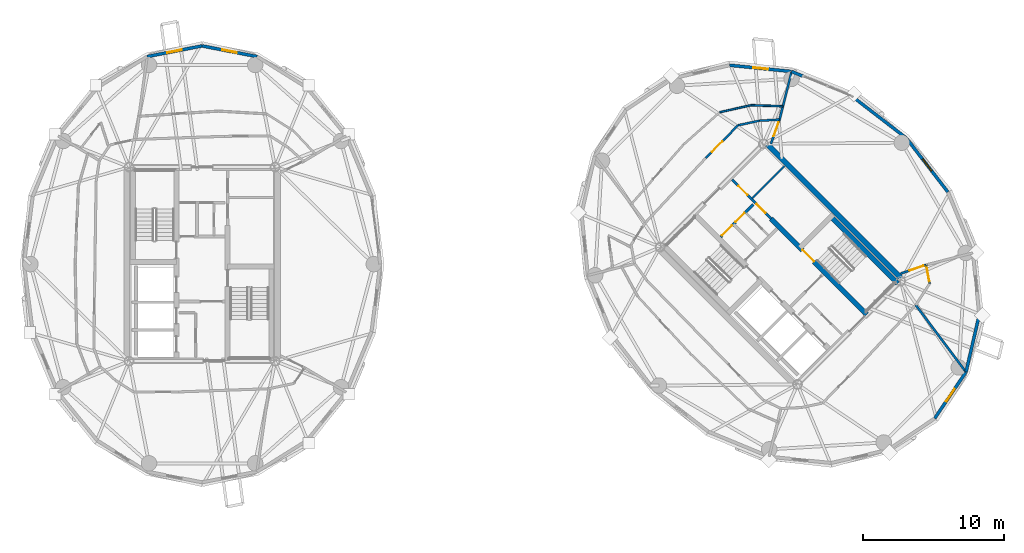
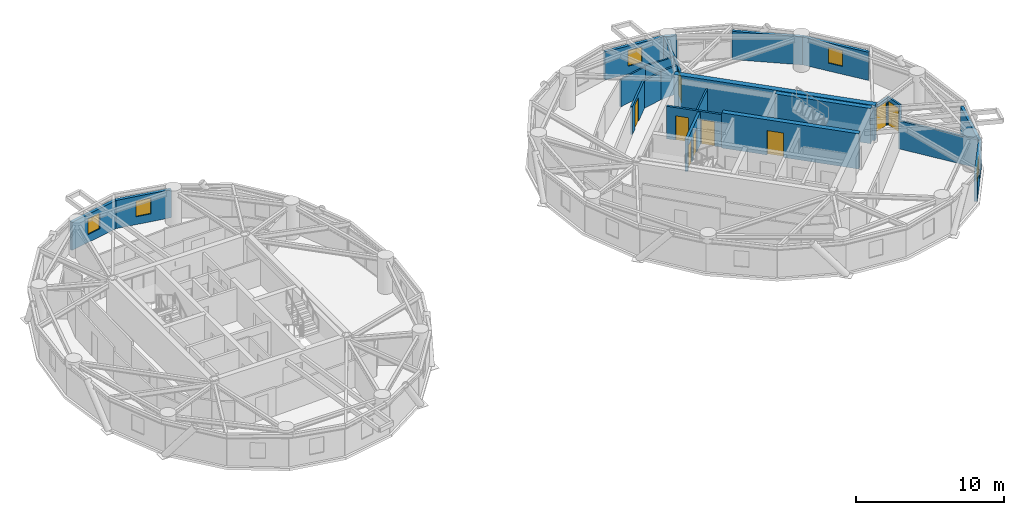
# One storey, part 13 of 16: 24 walls, 9 doors, 5 windows, 14 openings.
"""IFC4 building model written with IfcOpenShell, lengths in metres."""

from ifc_helpers import new_model, si_unit, direction, frame, frame_2d, origin, place, context, subcontext, project, spatial, rectangle, extrude, source, transform, mapped, material, layer, layer_set, type_object, element, fill, save


model = new_model("IFC4")

# Units and contexts
model_context = context("Model", 3, precision=1e-05, world=origin(), true_north=direction((0.0, 1.0)))
body_context = subcontext(model_context, "Body", "Model", "MODEL_VIEW")
ifc_project = project(units=[si_unit("LENGTHUNIT", "METRE"), si_unit("AREAUNIT", "SQUARE_METRE"), si_unit("VOLUMEUNIT", "CUBIC_METRE"), si_unit("PLANEANGLEUNIT", "RADIAN"), si_unit("MASSUNIT", "GRAM", prefix="KILO")], contexts=[model_context])

# Site, building, storey
site_placement = place(None, origin())
site = spatial("IfcSite", under=ifc_project, at=site_placement, CompositionType="ELEMENT")
building_placement = place(site_placement, origin())
building = spatial("IfcBuilding", under=site, at=building_placement, Name="Cununo Teusaquillo Station Towers", CompositionType="ELEMENT")
storey_placement = place(building_placement, frame((0.0, 0.0, 219.93994140625)))
storey = spatial("IfcBuildingStorey", under=building, at=storey_placement, Name="L70", CompositionType="ELEMENT", Elevation=219.93994140625)

# Wall, opening, door
ifc_material_1 = material(Name="Concrete C50/60", Category="concrete")
ifc_layer_1 = layer(ifc_material_1, 0.35009765625)
ifc_layer_set_1 = layer_set([ifc_layer_1], Name="Concrete C50/60")
wall_type_1 = type_object("IfcWallType", Name="WL-CORE-350", PredefinedType="SHEAR", material=ifc_layer_set_1)
wall_1_placement = place(storey_placement, frame((63.627197265625, 20.939697265625, 0.0), z_axis=(0.0, 0.0, 1.0), x_axis=(-0.707119496762, 0.707094065383, 0.0)))
wall_1 = element("IfcWall", 1, at=wall_1_placement, inside=storey, type_object=wall_type_1, Name="L70 Tower B Core Shear Wall IE", PredefinedType="SHEAR", context=body_context, shape_type="SweptSolid", body=[
    extrude(rectangle(XDim=9.60009765625, YDim=0.35009765625, at=frame_2d((4.800048828125, 0.0))), origin(), (0.0, 0.0, 1.0), 2.91015625),
])
shared_shape_1 = source(origin(), body_context, "Body", "SweptSolid", [
    extrude(rectangle(XDim=1.14990234375, YDim=2.02001953125, at=frame_2d((0.574951171875, 1.010009765625))), frame((0.0, 0.18505859375, 0.0), z_axis=(0.0, -1.0, 0.0), x_axis=(1.0, 0.0, 0.0)), (0.0, 0.0, 1.0), 0.3701171875),
])
opening_1_placement = place(wall_1_placement, frame((5.280029296875, 0.0, 0.0)))
opening_1 = element("IfcOpeningElement", 2, at=opening_1_placement, cuts=wall_1, Name="Opening D-ST1", PredefinedType="OPENING", context=body_context, shape_type="MappedRepresentation", body=[
    mapped(shared_shape_1, transform((0.0, 0.0, 0.0), x_axis=(1.0, 0.0, 0.0), y_axis=(0.0, 1.0, 0.0), z_axis=(0.0, 0.0, 1.0), scale=1.0)),
])
ifc_material_2 = material(Name="Galvanised fire-rated hollow steel door assembly", Category="steel")
door_type_1 = type_object("IfcDoorType", Name="DR-STAIR-1150", OperationType="NOTDEFINED", PredefinedType="DOOR", material=ifc_material_2)
shared_shape_2 = source(origin(), body_context, "Body", "SweptSolid", [
    extrude(rectangle(XDim=1.14990234375, YDim=2.02001953125, at=frame_2d((0.574951171875, 1.010009765625))), frame((0.0, 0.02490234375, 0.0), z_axis=(0.0, -1.0, 0.0), x_axis=(1.0, 0.0, 0.0)), (0.0, 0.0, 1.0), 0.050048828125),
])
door_1_placement = place(opening_1_placement, origin())
door_1 = element("IfcDoor", 3, at=door_1_placement, inside=storey, type_object=door_type_1, Name="L70 Tower B Exit Stair 2 Fire Door", OperationType="SINGLE_SWING_RIGHT", OverallHeight=2.02001953125, OverallWidth=1.14990234375, PredefinedType="DOOR", context=body_context, shape_type="MappedRepresentation", body=[
    mapped(shared_shape_2, transform((0.0, 0.0, 0.0), x_axis=(1.0, 0.0, 0.0), y_axis=(0.0, 1.0, 0.0), z_axis=(0.0, 0.0, 1.0), scale=1.0)),
])
fill(opening_1, door_1)

# Walls
wall_2_placement = place(storey_placement, frame((65.81201171875, 23.124755859375, 0.0), z_axis=(0.0, 0.0, 1.0), x_axis=(-0.707106781187, 0.707106781187, 0.0)))
element("IfcWall", 4, at=wall_2_placement, inside=storey, type_object=wall_type_1, Name="L70 Tower B Core Shear Wall ST2E", PredefinedType="SHEAR", context=body_context, shape_type="SweptSolid", body=[
    extrude(rectangle(XDim=6.695068359375, YDim=0.35009765625, at=frame_2d((3.34765625, 0.0))), origin(), (0.0, 0.0, 1.0), 2.91015625),
])
ifc_material_3 = material(Name="Concrete C50/60", Category="concrete")
ifc_layer_2 = layer(ifc_material_3, 0.39990234375)
ifc_layer_set_2 = layer_set([ifc_layer_2], Name="Concrete C50/60")
wall_type_2 = type_object("IfcWallType", Name="WL-CORE-400", PredefinedType="SHEAR", material=ifc_layer_set_2)
wall_3_placement = place(storey_placement, frame((66.26806640625, 23.2978515625, 0.0), z_axis=(0.0, 0.0, 1.0), x_axis=(-0.707106781187, 0.707106781187, 0.0)))
element("IfcWall", 5, at=wall_3_placement, inside=storey, type_object=wall_type_2, Name="L70 Tower B Core Shear Wall E", PredefinedType="SHEAR", context=body_context, shape_type="SweptSolid", body=[
    extrude(rectangle(XDim=14.10009765625, YDim=0.39990234375, at=frame_2d((7.050048828125, 0.0))), origin(), (0.0, 0.0, 1.0), 2.91015625),
])

# Wall, opening, window
ifc_material_4 = material(Name="Precast concrete C40/50", Category="concrete")
ifc_layer_3 = layer(ifc_material_4, 0.219970703125)
ifc_layer_set_3 = layer_set([ifc_layer_3], Name="Precast concrete C40/50")
wall_type_3 = type_object("IfcWallType", Name="WL-EXT-220", PredefinedType="SOLIDWALL", material=ifc_layer_set_3)
wall_4_placement = place(storey_placement, frame((16.5, 39.969970703125, 0.0), z_axis=(0.0, 0.0, 1.0), x_axis=(0.981700307484, -0.190432419211, 0.0)))
wall_4 = element("IfcWall", 6, at=wall_4_placement, inside=storey, type_object=wall_type_3, Name="L70 Tower A Exterior Facade Wall C04", PredefinedType="SOLIDWALL", context=body_context, shape_type="SweptSolid", body=[
    extrude(rectangle(XDim=3.9755859375, YDim=0.219970703125, at=frame_2d((1.98779296875, 0.0))), origin(), (0.0, 0.0, 1.0), 2.322021484375),
])
shared_shape_3 = source(origin(), body_context, "Body", "SweptSolid", [
    extrude(rectangle(XDim=1.050048828125, YDim=1.300048828125, at=frame_2d((0.52490234375, 0.64990234375))), frame((0.0, 0.119873046875, 0.0), z_axis=(0.0, -1.0, 0.0), x_axis=(1.0, 0.0, 0.0)), (0.0, 0.0, 1.0), 0.239990234375),
])
opening_2_placement = place(wall_4_placement, frame((1.462890625, 0.0, 0.64990234375)))
opening_2 = element("IfcOpeningElement", 7, at=opening_2_placement, cuts=wall_4, Name="Opening WN-04", PredefinedType="OPENING", context=body_context, shape_type="MappedRepresentation", body=[
    mapped(shared_shape_3, transform((0.0, 0.0, 0.0), x_axis=(1.0, 0.0, 0.0), y_axis=(0.0, 1.0, 0.0), z_axis=(0.0, 0.0, 1.0), scale=1.0)),
])
ifc_material_5 = material(Name="Operable acoustic tinted low-E double glazing", Category="glass")
window_type = type_object("IfcWindowType", Name="WIN-BAL-1050", PartitioningType="SINGLE_PANEL", PredefinedType="WINDOW", material=ifc_material_5)
shared_shape_4 = source(origin(), body_context, "Body", "SweptSolid", [
    extrude(rectangle(XDim=1.050048828125, YDim=1.300048828125, at=frame_2d((0.52490234375, 0.64990234375))), frame((0.0, 0.030029296875, 0.0), z_axis=(0.0, -1.0, 0.0), x_axis=(1.0, 0.0, 0.0)), (0.0, 0.0, 1.0), 0.06005859375),
])
window_1_placement = place(opening_2_placement, origin())
window_1 = element("IfcWindow", 8, at=window_1_placement, inside=storey, type_object=window_type, Name="L70 Tower A Facade Window C04", OverallHeight=1.300048828125, OverallWidth=1.050048828125, PartitioningType="SINGLE_PANEL", PredefinedType="WINDOW", context=body_context, shape_type="MappedRepresentation", body=[
    mapped(shared_shape_4, transform((0.0, 0.0, 0.0), x_axis=(1.0, 0.0, 0.0), y_axis=(0.0, 1.0, 0.0), z_axis=(0.0, 0.0, 1.0), scale=1.0)),
])
fill(opening_2, window_1)

wall_5_placement = place(storey_placement, frame((12.59716796875, 39.212890625, 0.0), z_axis=(0.0, 0.0, 1.0), x_axis=(0.981700307484, 0.190432419211, 0.0)))
wall_5 = element("IfcWall", 9, at=wall_5_placement, inside=storey, type_object=wall_type_3, Name="L70 Tower A Exterior Facade Wall C05", PredefinedType="SOLIDWALL", context=body_context, shape_type="SweptSolid", body=[
    extrude(rectangle(XDim=3.9755859375, YDim=0.219970703125, at=frame_2d((1.98779296875, 0.0))), origin(), (0.0, 0.0, 1.0), 2.322021484375),
])
opening_3_placement = place(wall_5_placement, frame((1.462890625, 0.0, 0.64990234375)))
opening_3 = element("IfcOpeningElement", 10, at=opening_3_placement, cuts=wall_5, Name="Opening WN-04", PredefinedType="OPENING", context=body_context, shape_type="MappedRepresentation", body=[
    mapped(shared_shape_3, transform((0.0, 0.0, 0.0), x_axis=(1.0, 0.0, 0.0), y_axis=(0.0, 1.0, 0.0), z_axis=(0.0, 0.0, 1.0), scale=1.0)),
])
window_2_placement = place(opening_3_placement, origin())
window_2 = element("IfcWindow", 11, at=window_2_placement, inside=storey, type_object=window_type, Name="L70 Tower A Facade Window C05", OverallHeight=1.300048828125, OverallWidth=1.050048828125, PartitioningType="SINGLE_PANEL", PredefinedType="WINDOW", context=body_context, shape_type="MappedRepresentation", body=[
    mapped(shared_shape_4, transform((0.0, 0.0, 0.0), x_axis=(1.0, 0.0, 0.0), y_axis=(0.0, 1.0, 0.0), z_axis=(0.0, 0.0, 1.0), scale=1.0)),
])
fill(opening_3, window_2)

# Walls
wall_6_placement = place(storey_placement, frame((62.61328125, 36.373779296875, 0.0), z_axis=(0.0, 0.0, 1.0), x_axis=(0.791998462147, -0.610523083886, 0.0)))
element("IfcWall", 12, at=wall_6_placement, inside=storey, type_object=wall_type_3, Name="L70 Tower B Exterior Facade Wall C00", PredefinedType="SOLIDWALL", context=body_context, shape_type="SweptSolid", body=[
    extrude(rectangle(XDim=4.8203125, YDim=0.219970703125, at=frame_2d((2.41015625, 0.0))), origin(), (0.0, 0.0, 1.0), 2.322021484375),
])
wall_7_placement = place(storey_placement, frame((58.29541015625, 38.15478515625, 0.0), z_axis=(0.0, 0.0, 1.0), x_axis=(0.924515260676, -0.381145028536, 0.0)))
element("IfcWall", 13, at=wall_7_placement, inside=storey, type_object=wall_type_3, Name="L70 Tower B Column Pier Cladding Wall C01-PA", PredefinedType="SOLIDWALL", context=body_context, shape_type="SweptSolid", body=[
    extrude(rectangle(XDim=0.869873046875, YDim=0.219970703125, at=frame_2d((0.43505859375, 0.0))), origin(), (0.0, 0.0, 1.0), 2.322021484375),
])

# Wall, opening, window
wall_8_placement = place(storey_placement, frame((53.899658203125, 38.59912109375, 0.0), z_axis=(0.0, 0.0, 1.0), x_axis=(0.994929930991, -0.100570534541, 0.0)))
wall_8 = element("IfcWall", 14, at=wall_8_placement, inside=storey, type_object=wall_type_3, Name="L70 Tower B Exterior Facade Wall C02", PredefinedType="SOLIDWALL", context=body_context, shape_type="SweptSolid", body=[
    extrude(rectangle(XDim=4.418212890625, YDim=0.219970703125, at=frame_2d((2.208984375, 0.0))), origin(), (0.0, 0.0, 1.0), 2.322021484375),
])
opening_4_placement = place(wall_8_placement, frame((1.68408203125, 0.0, 0.64990234375)))
opening_4 = element("IfcOpeningElement", 15, at=opening_4_placement, cuts=wall_8, Name="Opening WN-04", PredefinedType="OPENING", context=body_context, shape_type="MappedRepresentation", body=[
    mapped(shared_shape_3, transform((0.0, 0.0, 0.0), x_axis=(1.0, 0.0, 0.0), y_axis=(0.0, 1.0, 0.0), z_axis=(0.0, 0.0, 1.0), scale=1.0)),
])
window_3_placement = place(opening_4_placement, origin())
window_3 = element("IfcWindow", 16, at=window_3_placement, inside=storey, type_object=window_type, Name="L70 Tower B Facade Window C02", OverallHeight=1.300048828125, OverallWidth=1.050048828125, PartitioningType="SINGLE_PANEL", PredefinedType="WINDOW", context=body_context, shape_type="MappedRepresentation", body=[
    mapped(shared_shape_4, transform((0.0, 0.0, 0.0), x_axis=(1.0, 0.0, 0.0), y_axis=(0.0, 1.0, 0.0), z_axis=(0.0, 0.0, 1.0), scale=1.0)),
])
fill(opening_4, window_3)

wall_9_placement = place(storey_placement, frame((70.663330078125, 16.856201171875, 0.0), z_axis=(0.0, 0.0, 1.0), x_axis=(-0.559495003079, -0.828833723692, 0.0)))
wall_9 = element("IfcWall", 17, at=wall_9_placement, inside=storey, type_object=wall_type_3, Name="L70 Tower B Exterior Facade Wall C15", PredefinedType="SOLIDWALL", context=body_context, shape_type="SweptSolid", body=[
    extrude(rectangle(XDim=3.9755859375, YDim=0.219970703125, at=frame_2d((1.98779296875, 0.0))), origin(), (0.0, 0.0, 1.0), 2.322021484375),
])
opening_5_placement = place(wall_9_placement, frame((1.462890625, 0.0, 0.64990234375)))
opening_5 = element("IfcOpeningElement", 18, at=opening_5_placement, cuts=wall_9, Name="Opening WN-04", PredefinedType="OPENING", context=body_context, shape_type="MappedRepresentation", body=[
    mapped(shared_shape_3, transform((0.0, 0.0, 0.0), x_axis=(1.0, 0.0, 0.0), y_axis=(0.0, 1.0, 0.0), z_axis=(0.0, 0.0, 1.0), scale=1.0)),
])
window_4_placement = place(opening_5_placement, origin())
window_4 = element("IfcWindow", 19, at=window_4_placement, inside=storey, type_object=window_type, Name="L70 Tower B Facade Window C15", OverallHeight=1.300048828125, OverallWidth=1.050048828125, PartitioningType="SINGLE_PANEL", PredefinedType="WINDOW", context=body_context, shape_type="MappedRepresentation", body=[
    mapped(shared_shape_4, transform((0.0, 0.0, 0.0), x_axis=(1.0, 0.0, 0.0), y_axis=(0.0, 1.0, 0.0), z_axis=(0.0, 0.0, 1.0), scale=1.0)),
])
fill(opening_5, window_4)

# Wall
wall_10_placement = place(storey_placement, frame((71.59912109375, 20.899658203125, 0.0), z_axis=(0.0, 0.0, 1.0), x_axis=(-0.225473813158, -0.974249228678, 0.0)))
element("IfcWall", 20, at=wall_10_placement, inside=storey, type_object=wall_type_3, Name="L70 Tower B Exterior Facade Wall C16", PredefinedType="SOLIDWALL", context=body_context, shape_type="SweptSolid", body=[
    extrude(rectangle(XDim=4.150390625, YDim=0.219970703125, at=frame_2d((2.0751953125, 0.0))), origin(), (0.0, 0.0, 1.0), 2.322021484375),
])

# Wall, opening, window
wall_11_placement = place(storey_placement, frame((66.430908203125, 33.430908203125, 0.0), z_axis=(0.0, 0.0, 1.0), x_axis=(0.610523083886, -0.791998462147, 0.0)))
wall_11 = element("IfcWall", 21, at=wall_11_placement, inside=storey, type_object=wall_type_3, Name="L70 Tower B Exterior Facade Wall C19", PredefinedType="SOLIDWALL", context=body_context, shape_type="SweptSolid", body=[
    extrude(rectangle(XDim=4.8203125, YDim=0.219970703125, at=frame_2d((2.41015625, 0.0))), origin(), (0.0, 0.0, 1.0), 2.322021484375),
])
opening_6_placement = place(wall_11_placement, frame((1.885009765625, 0.0, 0.64990234375)))
opening_6 = element("IfcOpeningElement", 22, at=opening_6_placement, cuts=wall_11, Name="Opening WN-04", PredefinedType="OPENING", context=body_context, shape_type="MappedRepresentation", body=[
    mapped(shared_shape_3, transform((0.0, 0.0, 0.0), x_axis=(1.0, 0.0, 0.0), y_axis=(0.0, 1.0, 0.0), z_axis=(0.0, 0.0, 1.0), scale=1.0)),
])
window_5_placement = place(opening_6_placement, origin())
window_5 = element("IfcWindow", 23, at=window_5_placement, inside=storey, type_object=window_type, Name="L70 Tower B Facade Window C19", OverallHeight=1.300048828125, OverallWidth=1.050048828125, PartitioningType="SINGLE_PANEL", PredefinedType="WINDOW", context=body_context, shape_type="MappedRepresentation", body=[
    mapped(shared_shape_4, transform((0.0, 0.0, 0.0), x_axis=(1.0, 0.0, 0.0), y_axis=(0.0, 1.0, 0.0), z_axis=(0.0, 0.0, 1.0), scale=1.0)),
])
fill(opening_6, window_5)

# Walls
ifc_material_6 = material(Name="Fire-rated gypsum plasterboard partition assembly", Category="gypsum")
ifc_layer_4 = layer(ifc_material_6, 0.125)
ifc_layer_set_4 = layer_set([ifc_layer_4], Name="Fire-rated gypsum plasterboard partition assembly")
wall_type_4 = type_object("IfcWallType", Name="WL-PART-125", PredefinedType="PARTITIONING", material=ifc_layer_set_4)
wall_12_placement = place(storey_placement, frame((55.49169921875, 29.1669921875, 0.0), z_axis=(0.0, 0.0, 1.0), x_axis=(0.707144688645, 0.707068871696, 0.0)))
element("IfcWall", 24, at=wall_12_placement, inside=storey, type_object=wall_type_4, Name="L70 Tower B Reclaimed Bay Divider Wall", PredefinedType="PARTITIONING", context=body_context, shape_type="SweptSolid", body=[
    extrude(rectangle(XDim=3.22021484375, YDim=0.125, at=frame_2d((1.610107421875, 0.0))), origin(), (0.0, 0.0, 1.0), 2.22216796875),
])
wall_13_placement = place(storey_placement, frame((57.678955078125, 35.693359375, 0.0), z_axis=(0.0, 0.0, 1.0), x_axis=(-0.999526298938, 0.030776252722, 0.0)))
element("IfcWall", 25, at=wall_13_placement, inside=storey, type_object=wall_type_4, Name="L70 Tower B Summit Champagne & Dining Salon Concentric Partition Wall C02", PredefinedType="PARTITIONING", context=body_context, shape_type="SweptSolid", body=[
    extrude(rectangle(XDim=2.2607421875, YDim=0.125, at=frame_2d((1.13037109375, 0.0))), origin(), (0.0, 0.0, 1.0), 2.322021484375),
])
wall_14_placement = place(storey_placement, frame((55.419189453125, 35.762939453125, 0.0), z_axis=(0.0, 0.0, 1.0), x_axis=(-0.975917771425, -0.218138725166, 0.0)))
element("IfcWall", 26, at=wall_14_placement, inside=storey, type_object=wall_type_4, Name="L70 Tower B Summit Champagne & Dining Salon Concentric Partition Wall C03", PredefinedType="PARTITIONING", context=body_context, shape_type="SweptSolid", body=[
    extrude(rectangle(XDim=2.267578125, YDim=0.125, at=frame_2d((1.1337890625, 0.0))), origin(), (0.0, 0.0, 1.0), 2.255126953125),
])
ifc_material_7 = material(Name="Fire-rated gypsum plasterboard partition assembly", Category="gypsum")
ifc_layer_5 = layer(ifc_material_7, 0.14990234375)
ifc_layer_set_5 = layer_set([ifc_layer_5], Name="Fire-rated gypsum plasterboard partition assembly")
wall_type_5 = type_object("IfcWallType", Name="WL-PART-150", PredefinedType="PARTITIONING", material=ifc_layer_set_5)
wall_15_placement = place(storey_placement, frame((57.4404296875, 34.743896484375, 0.0), z_axis=(0.0, 0.0, 1.0), x_axis=(-0.998578025565, -0.053309725738, 0.0)))
element("IfcWall", 27, at=wall_15_placement, inside=storey, type_object=wall_type_5, Name="L70 Tower B Corridor Ring Wall C02", PredefinedType="PARTITIONING", context=body_context, shape_type="SweptSolid", body=[
    extrude(rectangle(XDim=1.433349609375, YDim=0.14990234375, at=frame_2d((0.716796875, 0.0))), origin(), (0.0, 0.0, 1.0), 2.322021484375),
])
wall_16_placement = place(storey_placement, frame((56.009033203125, 34.66748046875, 0.0), z_axis=(0.0, 0.0, 1.0), x_axis=(-0.977625498152, -0.210353001795, 0.0)))
element("IfcWall", 28, at=wall_16_placement, inside=storey, type_object=wall_type_5, Name="L70 Tower B Corridor Ring Wall C03", PredefinedType="PARTITIONING", context=body_context, shape_type="SweptSolid", body=[
    extrude(rectangle(XDim=1.537841796875, YDim=0.14990234375, at=frame_2d((0.76904296875, 0.0))), origin(), (0.0, 0.0, 1.0), 2.255126953125),
])

# Wall, opening, door
wall_17_placement = place(storey_placement, frame((54.505615234375, 34.343994140625, 0.0), z_axis=(0.0, 0.0, 1.0), x_axis=(-0.703053402247, -0.711137056824, 0.0)))
wall_17 = element("IfcWall", 29, at=wall_17_placement, inside=storey, type_object=wall_type_5, Name="L70 Tower B Corridor Ring Wall C04", PredefinedType="PARTITIONING", context=body_context, shape_type="SweptSolid", body=[
    extrude(rectangle(XDim=3.26171875, YDim=0.14990234375, at=frame_2d((1.630859375, 0.0))), origin(), (0.0, 0.0, 1.0), 2.322021484375),
])
shared_shape_5 = source(origin(), body_context, "Body", "SweptSolid", [
    extrude(rectangle(XDim=1.050048828125, YDim=2.014892578125, at=frame_2d((0.52490234375, 1.00732421875))), frame((0.0, 0.0849609375, 0.0), z_axis=(0.0, -1.0, 0.0), x_axis=(1.0, 0.0, 0.0)), (0.0, 0.0, 1.0), 0.169921875),
])
opening_7_placement = place(wall_17_placement, frame((1.598876953125, 0.0, 0.0)))
opening_7 = element("IfcOpeningElement", 30, at=opening_7_placement, cuts=wall_17, Name="Opening D-SU1", PredefinedType="OPENING", context=body_context, shape_type="MappedRepresentation", body=[
    mapped(shared_shape_5, transform((0.0, 0.0, 0.0), x_axis=(1.0, 0.0, 0.0), y_axis=(0.0, 1.0, 0.0), z_axis=(0.0, 0.0, 1.0), scale=1.0)),
])
ifc_material_8 = material(Name="Acoustic solid-core hardwood leaf assembly", Category="wood")
door_type_2 = type_object("IfcDoorType", Name="DR-SUITE-1050", OperationType="NOTDEFINED", PredefinedType="DOOR", material=ifc_material_8)
shared_shape_6 = source(origin(), body_context, "Body", "SweptSolid", [
    extrude(rectangle(XDim=1.050048828125, YDim=2.014892578125, at=frame_2d((0.52490234375, 1.00732421875))), frame((0.0, 0.02490234375, 0.0), z_axis=(0.0, -1.0, 0.0), x_axis=(1.0, 0.0, 0.0)), (0.0, 0.0, 1.0), 0.050048828125),
])
door_2_placement = place(opening_7_placement, origin())
door_2 = element("IfcDoor", 31, at=door_2_placement, inside=storey, type_object=door_type_2, Name="L70 Tower B Summit Champagne & Dining Salon Entrance Door", OperationType="SINGLE_SWING_RIGHT", OverallHeight=2.014892578125, OverallWidth=1.050048828125, PredefinedType="DOOR", context=body_context, shape_type="MappedRepresentation", body=[
    mapped(shared_shape_6, transform((0.0, 0.0, 0.0), x_axis=(1.0, 0.0, 0.0), y_axis=(0.0, 1.0, 0.0), z_axis=(0.0, 0.0, 1.0), scale=1.0)),
])
fill(opening_7, door_2)

wall_18_placement = place(storey_placement, frame((68.08642578125, 23.12939453125, 0.0), z_axis=(0.0, 0.0, 1.0), x_axis=(-0.182004193146, 0.983297754334, 0.0)))
wall_18 = element("IfcWall", 32, at=wall_18_placement, inside=storey, type_object=wall_type_5, Name="L70 Tower B Corridor Ring Wall C17", PredefinedType="PARTITIONING", context=body_context, shape_type="SweptSolid", body=[
    extrude(rectangle(XDim=1.3359375, YDim=0.14990234375, at=frame_2d((0.66796875, 0.0))), origin(), (0.0, 0.0, 1.0), 2.322021484375),
])
opening_8_placement = place(wall_18_placement, frame((0.14306640625, 0.0, 0.0)))
opening_8 = element("IfcOpeningElement", 33, at=opening_8_placement, cuts=wall_18, Name="Opening D-SU1", PredefinedType="OPENING", context=body_context, shape_type="MappedRepresentation", body=[
    mapped(shared_shape_5, transform((0.0, 0.0, 0.0), x_axis=(1.0, 0.0, 0.0), y_axis=(0.0, 1.0, 0.0), z_axis=(0.0, 0.0, 1.0), scale=1.0)),
])
door_3_placement = place(opening_8_placement, origin())
door_3 = element("IfcDoor", 34, at=door_3_placement, inside=storey, type_object=door_type_2, Name="L70 Tower B Hotel Housekeeping & Linen Pantry Entrance Door", OperationType="SINGLE_SWING_LEFT", OverallHeight=2.014892578125, OverallWidth=1.050048828125, PredefinedType="DOOR", context=body_context, shape_type="MappedRepresentation", body=[
    mapped(shared_shape_6, transform((0.0, 0.0, 0.0), x_axis=(1.0, 0.0, 0.0), y_axis=(0.0, 1.0, 0.0), z_axis=(0.0, 0.0, 1.0), scale=1.0)),
])
fill(opening_8, door_3)

# Wall, openings, doors
ifc_material_9 = material(Name="Fire-rated gypsum plasterboard partition assembly", Category="gypsum")
ifc_layer_6 = layer(ifc_material_9, 0.159912109375)
ifc_layer_set_6 = layer_set([ifc_layer_6], Name="Fire-rated gypsum plasterboard partition assembly")
wall_type_6 = type_object("IfcWallType", Name="WL-PART-160", PredefinedType="PARTITIONING", material=ifc_layer_set_6)
wall_19_placement = place(storey_placement, frame((56.8388671875, 27.727783203125, 0.0), z_axis=(0.0, 0.0, 1.0), x_axis=(-0.707106781187, 0.707106781187, 0.0)))
wall_19 = element("IfcWall", 35, at=wall_19_placement, inside=storey, type_object=wall_type_6, Name="L70 Tower B Reclaimed Core Bay Entry Wall", PredefinedType="PARTITIONING", context=body_context, shape_type="SweptSolid", body=[
    extrude(rectangle(XDim=3.900146484375, YDim=0.159912109375, at=frame_2d((1.9501953125, 0.0))), origin(), (0.0, 0.0, 1.0), 2.68505859375),
])
shared_shape_7 = source(origin(), body_context, "Body", "SweptSolid", [
    extrude(rectangle(XDim=0.89990234375, YDim=2.0048828125, at=frame_2d((0.449951171875, 1.00244140625))), frame((0.0, 0.08984375, 0.0), z_axis=(0.0, -1.0, 0.0), x_axis=(1.0, 0.0, 0.0)), (0.0, 0.0, 1.0), 0.179931640625),
])
opening_9_placement = place(wall_19_placement, frame((0.550048828125, 0.0, 0.0)))
opening_9 = element("IfcOpeningElement", 36, at=opening_9_placement, cuts=wall_19, Name="Opening D-IN1", PredefinedType="OPENING", context=body_context, shape_type="MappedRepresentation", body=[
    mapped(shared_shape_7, transform((0.0, 0.0, 0.0), x_axis=(1.0, 0.0, 0.0), y_axis=(0.0, 1.0, 0.0), z_axis=(0.0, 0.0, 1.0), scale=1.0)),
])
opening_10_placement = place(wall_19_placement, frame((2.35009765625, 0.0, 0.0)))
opening_10 = element("IfcOpeningElement", 37, at=opening_10_placement, cuts=wall_19, Name="Opening D-IN1", PredefinedType="OPENING", context=body_context, shape_type="MappedRepresentation", body=[
    mapped(shared_shape_7, transform((0.0, 0.0, 0.0), x_axis=(1.0, 0.0, 0.0), y_axis=(0.0, 1.0, 0.0), z_axis=(0.0, 0.0, 1.0), scale=1.0)),
])
ifc_material_10 = material(Name="Acoustic solid-core hardwood leaf assembly", Category="wood")
door_type_3 = type_object("IfcDoorType", Name="DR-INT-900", OperationType="NOTDEFINED", PredefinedType="DOOR", material=ifc_material_10)
shared_shape_8 = source(origin(), body_context, "Body", "SweptSolid", [
    extrude(rectangle(XDim=0.89990234375, YDim=2.0048828125, at=frame_2d((0.449951171875, 1.00244140625))), frame((0.0, 0.02490234375, 0.0), z_axis=(0.0, -1.0, 0.0), x_axis=(1.0, 0.0, 0.0)), (0.0, 0.0, 1.0), 0.050048828125),
])
door_4_placement = place(opening_9_placement, origin())
door_4 = element("IfcDoor", 38, at=door_4_placement, inside=storey, type_object=door_type_3, Name="L70 Tower B Reclaimed Core Study Door", OperationType="SINGLE_SWING_RIGHT", OverallHeight=2.0048828125, OverallWidth=0.89990234375, PredefinedType="DOOR", context=body_context, shape_type="MappedRepresentation", body=[
    mapped(shared_shape_8, transform((0.0, 0.0, 0.0), x_axis=(1.0, 0.0, 0.0), y_axis=(0.0, 1.0, 0.0), z_axis=(0.0, 0.0, 1.0), scale=1.0)),
])
fill(opening_9, door_4)
door_5_placement = place(opening_10_placement, origin())
door_5 = element("IfcDoor", 39, at=door_5_placement, inside=storey, type_object=door_type_3, Name="L70 Tower B Reclaimed Core Pantry Door", OperationType="SINGLE_SWING_LEFT", OverallHeight=2.0048828125, OverallWidth=0.89990234375, PredefinedType="DOOR", context=body_context, shape_type="MappedRepresentation", body=[
    mapped(shared_shape_8, transform((0.0, 0.0, 0.0), x_axis=(1.0, 0.0, 0.0), y_axis=(0.0, 1.0, 0.0), z_axis=(0.0, 0.0, 1.0), scale=1.0)),
])
fill(opening_10, door_5)

# Walls
wall_20_placement = place(storey_placement, frame((57.4404296875, 34.743896484375, 0.0), z_axis=(0.0, 0.0, 1.0), x_axis=(0.243619816457, 0.969870808422, 0.0)))
element("IfcWall", 40, at=wall_20_placement, inside=storey, type_object=wall_type_6, Name="L70 Tower B Radial Suite Partition R01", PredefinedType="PARTITIONING", context=body_context, shape_type="SweptSolid", body=[
    extrude(rectangle(XDim=3.496337890625, YDim=0.159912109375, at=frame_2d((1.748046875, 0.0))), origin(), (0.0, 0.0, 1.0), 2.322021484375),
])
wall_21_placement = place(storey_placement, frame((67.09521484375, 21.599609375, 0.0), z_axis=(0.0, 0.0, 1.0), x_axis=(0.599947190798, -0.800039604178, 0.0)))
element("IfcWall", 41, at=wall_21_placement, inside=storey, type_object=wall_type_6, Name="L70 Tower B Radial Suite Partition R05", PredefinedType="PARTITIONING", context=body_context, shape_type="SweptSolid", body=[
    extrude(rectangle(XDim=5.917724609375, YDim=0.159912109375, at=frame_2d((2.958984375, 0.0))), origin(), (0.0, 0.0, 1.0), 2.322021484375),
])

# Wall, opening, door
wall_22_placement = place(storey_placement, frame((56.828125, 33.0205078125, 0.0), z_axis=(0.0, 0.0, 1.0), x_axis=(0.334788446034, 0.942293317605, 0.0)))
wall_22 = element("IfcWall", 42, at=wall_22_placement, inside=storey, type_object=wall_type_6, Name="L70 Tower B East Salon Corridor Portal Wall NE", PredefinedType="PARTITIONING", context=body_context, shape_type="SweptSolid", body=[
    extrude(rectangle(XDim=1.828857421875, YDim=0.159912109375, at=frame_2d((0.91455078125, 0.0))), origin(), (0.0, 0.0, 1.0), 2.255126953125),
])
shared_shape_9 = source(origin(), body_context, "Body", "SweptSolid", [
    extrude(rectangle(XDim=1.050048828125, YDim=2.014892578125, at=frame_2d((0.52490234375, 1.00732421875))), frame((0.0, 0.08984375, 0.0), z_axis=(0.0, -1.0, 0.0), x_axis=(1.0, 0.0, 0.0)), (0.0, 0.0, 1.0), 0.179931640625),
])
opening_11_placement = place(wall_22_placement, frame((0.578857421875, 0.0, 0.0)))
opening_11 = element("IfcOpeningElement", 43, at=opening_11_placement, cuts=wall_22, Name="Opening D-SU1", PredefinedType="OPENING", context=body_context, shape_type="MappedRepresentation", body=[
    mapped(shared_shape_9, transform((0.0, 0.0, 0.0), x_axis=(1.0, 0.0, 0.0), y_axis=(0.0, 1.0, 0.0), z_axis=(0.0, 0.0, 1.0), scale=1.0)),
])
door_6_placement = place(opening_11_placement, origin())
door_6 = element("IfcDoor", 44, at=door_6_placement, inside=storey, type_object=door_type_2, Name="L70 Tower B East Panorama Sky Salon Door NE", OperationType="SINGLE_SWING_RIGHT", OverallHeight=2.014892578125, OverallWidth=1.050048828125, PredefinedType="DOOR", context=body_context, shape_type="MappedRepresentation", body=[
    mapped(shared_shape_6, transform((0.0, 0.0, 0.0), x_axis=(1.0, 0.0, 0.0), y_axis=(0.0, 1.0, 0.0), z_axis=(0.0, 0.0, 1.0), scale=1.0)),
])
fill(opening_11, door_6)

wall_23_placement = place(storey_placement, frame((66.0205078125, 23.828125, 0.0), z_axis=(0.0, 0.0, 1.0), x_axis=(0.947522075691, 0.319690344049, 0.0)))
wall_23 = element("IfcWall", 45, at=wall_23_placement, inside=storey, type_object=wall_type_6, Name="L70 Tower B East Salon Corridor Portal Wall SE", PredefinedType="PARTITIONING", context=body_context, shape_type="SweptSolid", body=[
    extrude(rectangle(XDim=1.923583984375, YDim=0.159912109375, at=frame_2d((0.9619140625, 0.0))), origin(), (0.0, 0.0, 1.0), 2.255126953125),
])
opening_12_placement = place(wall_23_placement, frame((0.673583984375, 0.0, 0.0)))
opening_12 = element("IfcOpeningElement", 46, at=opening_12_placement, cuts=wall_23, Name="Opening D-SU1", PredefinedType="OPENING", context=body_context, shape_type="MappedRepresentation", body=[
    mapped(shared_shape_9, transform((0.0, 0.0, 0.0), x_axis=(1.0, 0.0, 0.0), y_axis=(0.0, 1.0, 0.0), z_axis=(0.0, 0.0, 1.0), scale=1.0)),
])
door_7_placement = place(opening_12_placement, origin())
door_7 = element("IfcDoor", 47, at=door_7_placement, inside=storey, type_object=door_type_2, Name="L70 Tower B East Panorama Sky Salon Door SE", OperationType="SINGLE_SWING_LEFT", OverallHeight=2.014892578125, OverallWidth=1.050048828125, PredefinedType="DOOR", context=body_context, shape_type="MappedRepresentation", body=[
    mapped(shared_shape_6, transform((0.0, 0.0, 0.0), x_axis=(1.0, 0.0, 0.0), y_axis=(0.0, 1.0, 0.0), z_axis=(0.0, 0.0, 1.0), scale=1.0)),
])
fill(opening_12, door_7)

# Wall, openings, doors
ifc_material_11 = material(Name="Fire-rated gypsum plasterboard partition assembly", Category="gypsum")
ifc_layer_7 = layer(ifc_material_11, 0.199951171875)
ifc_layer_set_7 = layer_set([ifc_layer_7], Name="Fire-rated gypsum plasterboard partition assembly")
wall_type_7 = type_object("IfcWallType", Name="WL-PART-200", PredefinedType="PARTITIONING", material=ifc_layer_set_7)
wall_24_placement = place(storey_placement, frame((53.264404296875, 26.416259765625, 0.0), z_axis=(0.0, 0.0, 1.0), x_axis=(0.707106781187, 0.707106781187, 0.0)))
wall_24 = element("IfcWall", 48, at=wall_24_placement, inside=storey, type_object=wall_type_7, Name="L70 Tower B North Lift Lobby South Fire Wall", PredefinedType="PARTITIONING", context=body_context, shape_type="SweptSolid", body=[
    extrude(rectangle(XDim=3.280029296875, YDim=0.199951171875, at=frame_2d((1.64013671875, 0.0))), origin(), (0.0, 0.0, 1.0), 2.68505859375),
])
shared_shape_10 = source(origin(), body_context, "Body", "SweptSolid", [
    extrude(rectangle(XDim=1.0, YDim=2.014892578125, at=frame_2d((0.5, 1.00732421875))), frame((0.0, 0.10986328125, 0.0), z_axis=(0.0, -1.0, 0.0), x_axis=(1.0, 0.0, 0.0)), (0.0, 0.0, 1.0), 0.219970703125),
])
opening_13_placement = place(wall_24_placement, frame((0.139892578125, 0.0, 0.0)))
opening_13 = element("IfcOpeningElement", 49, at=opening_13_placement, cuts=wall_24, Name="Opening D-AC1", PredefinedType="OPENING", context=body_context, shape_type="MappedRepresentation", body=[
    mapped(shared_shape_10, transform((0.0, 0.0, 0.0), x_axis=(1.0, 0.0, 0.0), y_axis=(0.0, 1.0, 0.0), z_axis=(0.0, 0.0, 1.0), scale=1.0)),
])
shared_shape_11 = source(origin(), body_context, "Body", "SweptSolid", [
    extrude(rectangle(XDim=0.89990234375, YDim=2.0048828125, at=frame_2d((0.449951171875, 1.00244140625))), frame((0.0, 0.10986328125, 0.0), z_axis=(0.0, -1.0, 0.0), x_axis=(1.0, 0.0, 0.0)), (0.0, 0.0, 1.0), 0.219970703125),
])
opening_14_placement = place(wall_24_placement, frame((1.5, 0.0, 0.0)))
opening_14 = element("IfcOpeningElement", 50, at=opening_14_placement, cuts=wall_24, Name="Opening D-SR1", PredefinedType="OPENING", context=body_context, shape_type="MappedRepresentation", body=[
    mapped(shared_shape_11, transform((0.0, 0.0, 0.0), x_axis=(1.0, 0.0, 0.0), y_axis=(0.0, 1.0, 0.0), z_axis=(0.0, 0.0, 1.0), scale=1.0)),
])
ifc_material_12 = material(Name="Galvanised fire-rated hollow steel door assembly", Category="steel")
door_type_4 = type_object("IfcDoorType", Name="DR-STORE-900", OperationType="NOTDEFINED", PredefinedType="DOOR", material=ifc_material_12)
door_8_placement = place(opening_14_placement, origin())
door_8 = element("IfcDoor", 51, at=door_8_placement, inside=storey, type_object=door_type_4, Name="L70 Tower B Core Housekeeping Store Door", OperationType="SINGLE_SWING_RIGHT", OverallHeight=2.0048828125, OverallWidth=0.89990234375, PredefinedType="DOOR", context=body_context, shape_type="MappedRepresentation", body=[
    mapped(shared_shape_8, transform((0.0, 0.0, 0.0), x_axis=(1.0, 0.0, 0.0), y_axis=(0.0, 1.0, 0.0), z_axis=(0.0, 0.0, 1.0), scale=1.0)),
])
fill(opening_14, door_8)
ifc_material_13 = material(Name="Acoustic solid-core hardwood leaf assembly", Category="wood")
door_type_5 = type_object("IfcDoorType", Name="DR-ACC-1000", OperationType="NOTDEFINED", PredefinedType="DOOR", material=ifc_material_13)
shared_shape_12 = source(origin(), body_context, "Body", "SweptSolid", [
    extrude(rectangle(XDim=1.0, YDim=2.014892578125, at=frame_2d((0.5, 1.00732421875))), frame((0.0, 0.02490234375, 0.0), z_axis=(0.0, -1.0, 0.0), x_axis=(1.0, 0.0, 0.0)), (0.0, 0.0, 1.0), 0.050048828125),
])
door_9_placement = place(opening_13_placement, origin())
door_9 = element("IfcDoor", 52, at=door_9_placement, inside=storey, type_object=door_type_5, Name="L70 Tower B North Lift Lobby to Stair 1 Vestibule Door", OperationType="SINGLE_SWING_RIGHT", OverallHeight=2.014892578125, OverallWidth=1.0, PredefinedType="DOOR", context=body_context, shape_type="MappedRepresentation", body=[
    mapped(shared_shape_12, transform((0.0, 0.0, 0.0), x_axis=(1.0, 0.0, 0.0), y_axis=(0.0, 1.0, 0.0), z_axis=(0.0, 0.0, 1.0), scale=1.0)),
])
fill(opening_13, door_9)

save(model, "model.ifc")
